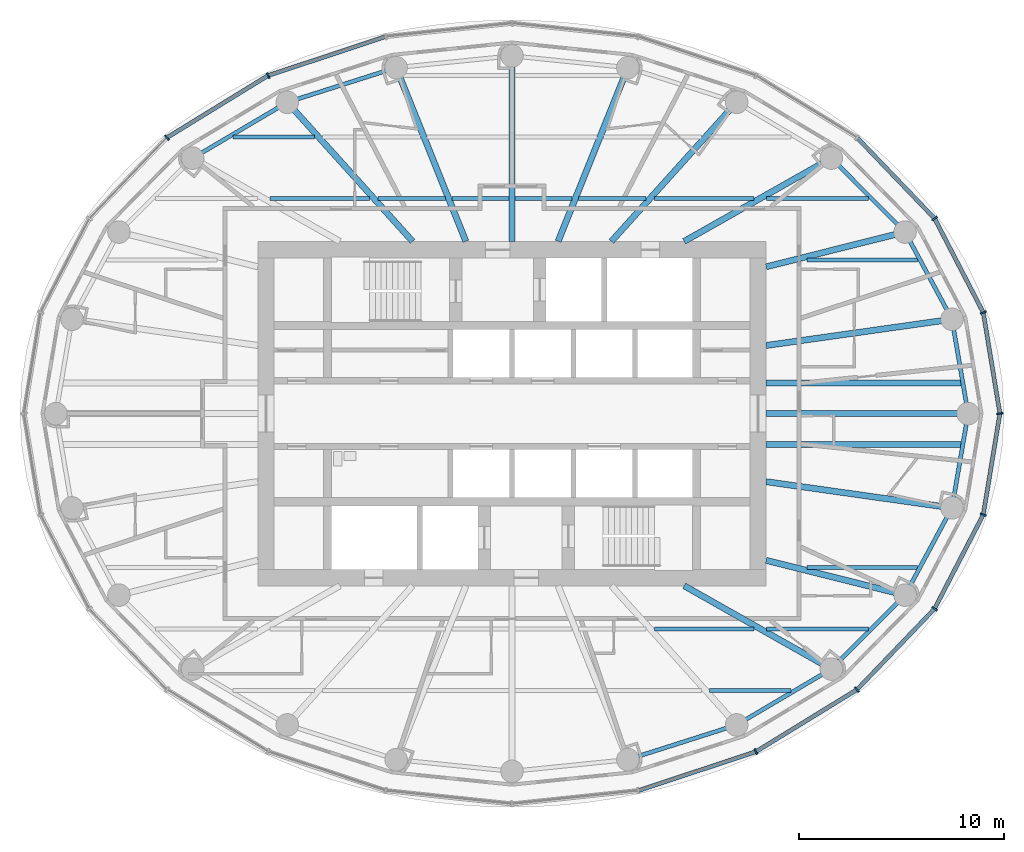
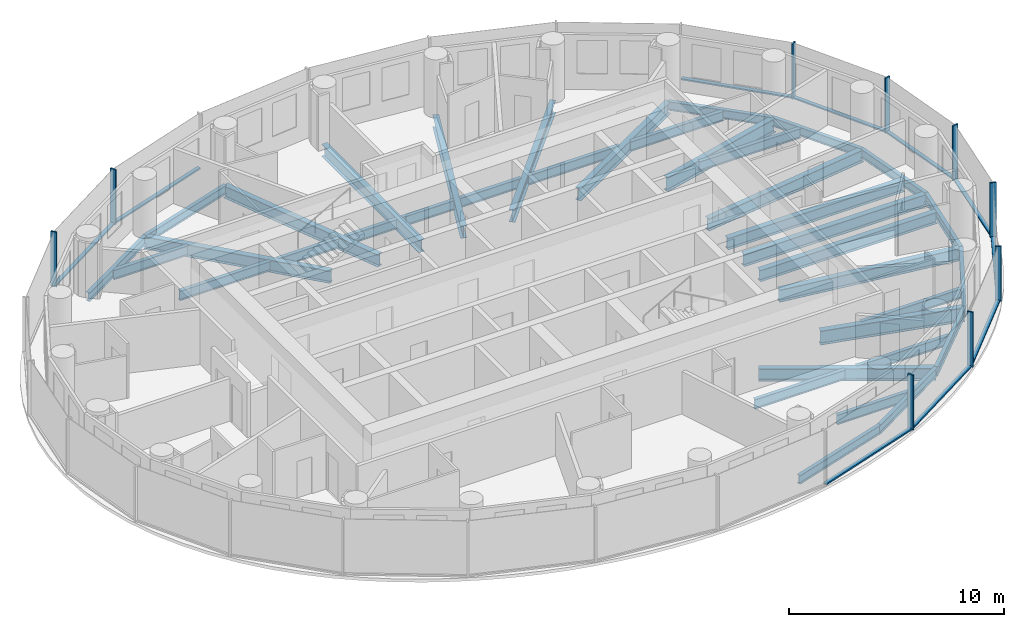
# One storey, part 3 of 16: 37 beams, 19 members, 3 elements without a shape of their own.
"""IFC4 building model written with IfcOpenShell, lengths in metres."""

import ifcopenshell
import ifcopenshell.guid

model = None  # the IFC model being written
_history = None  # IfcOwnerHistory: only IFC2X3 demands one
_inside = {}  # id of a spatial element -> (the spatial element, [elements in it])
_under = {}  # id of a project, library or spatial element -> (it, [spatial elements below it])
_declared = {}  # id of a project -> (the project, [libraries it declares])
_typed = {}  # id of a type object -> (the type object, [elements of that type])
_made_of = {}  # id of a material, layer set ... -> (it, [elements and type objects made of it])


def new_model(schema):
    """Start an empty IFC model of exactly this schema.

    Asked for "IFC4X3", IfcOpenShell would pick the latest addendum, in which some entities
    have other attributes; the version numbers below select the first issue.
    IFC2X3 requires an IfcOwnerHistory on every rooted entity: one is made here for all.
    """
    global model, _history
    if schema == "IFC4X3":
        model = ifcopenshell.file(schema_version=(4, 3, 0, 0))
    else:
        model = ifcopenshell.file(schema=schema)
    _inside.clear()
    _under.clear()
    _declared.clear()
    _typed.clear()
    _made_of.clear()
    _history = None
    if model.schema == "IFC2X3":
        org = make("IfcOrganization", Name="unknown")
        user = make(
            "IfcPersonAndOrganization",
            ThePerson=make("IfcPerson", FamilyName="unknown"),
            TheOrganization=org,
        )
        app = make(
            "IfcApplication",
            ApplicationDeveloper=org,
            Version="unknown",
            ApplicationFullName="unknown",
            ApplicationIdentifier="unknown",
        )
        _history = make(
            "IfcOwnerHistory",
            OwningUser=user,
            OwningApplication=app,
            ChangeAction="ADDED",
            CreationDate=0,
        )
    return model


def make(cls, **values):
    """One entity of the class cls with the attributes given. An attribute that is None is left unset."""
    return model.create_entity(
        cls, **{name: value for name, value in values.items() if value is not None}
    )


def rooted(cls, **values):
    """An entity with a GlobalId (a new one), such as an element, a storey or a relation."""
    return make(cls, GlobalId=ifcopenshell.guid.new(), OwnerHistory=_history, **values)


def si_unit(unit_type, name, prefix=None):
    """IfcSIUnit, for example si_unit("LENGTHUNIT", "METRE", prefix="MILLI")."""
    return make("IfcSIUnit", UnitType=unit_type, Prefix=prefix, Name=name)


def assignment(units):
    """IfcUnitAssignment: the units of a project."""
    return None if units is None else make("IfcUnitAssignment", Units=units)


def point(xyz):
    """IfcCartesianPoint."""
    return None if xyz is None else make("IfcCartesianPoint", Coordinates=xyz)


def direction(xyz):
    """IfcDirection."""
    return None if xyz is None else make("IfcDirection", DirectionRatios=xyz)


def frame(location, z_axis=None, x_axis=None):
    """IfcAxis2Placement3D, a coordinate frame: its origin and axes. An axis left out is left unset."""
    return make(
        "IfcAxis2Placement3D",
        Location=point(location),
        Axis=direction(z_axis),
        RefDirection=direction(x_axis),
    )


def frame_2d(location, x_axis=None):
    """IfcAxis2Placement2D, a coordinate frame in the plane: its origin and x axis."""
    return make(
        "IfcAxis2Placement2D", Location=point(location), RefDirection=direction(x_axis)
    )


def origin():
    """The frame at (0, 0, 0) with its axes left unset."""
    return frame((0.0, 0.0, 0.0))


def origin_2d():
    """The frame at (0, 0) in the plane with its x axis left unset."""
    return frame_2d((0.0, 0.0))


def place(relative_to, where):
    """IfcLocalPlacement: puts the frame where relative to a parent placement (None: the world)."""
    return make(
        "IfcLocalPlacement", PlacementRelTo=relative_to, RelativePlacement=where
    )


def context(
    kind, dimensions, precision=None, world=None, true_north=None, identifier=None
):
    """IfcGeometricRepresentationContext, for example the 3D "Model" context."""
    return make(
        "IfcGeometricRepresentationContext",
        ContextIdentifier=identifier,
        ContextType=kind,
        CoordinateSpaceDimension=dimensions,
        Precision=precision,
        WorldCoordinateSystem=world,
        TrueNorth=true_north,
    )


def subcontext(parent, identifier, kind, view, scale=None):
    """IfcGeometricRepresentationSubContext, for example "Body" below "Model"."""
    return make(
        "IfcGeometricRepresentationSubContext",
        ContextIdentifier=identifier,
        ContextType=kind,
        ParentContext=parent,
        TargetScale=scale,
        TargetView=view,
    )


def project(units=None, contexts=None):
    """IfcProject with its units and contexts."""
    return rooted(
        "IfcProject",
        Name="project",
        RepresentationContexts=contexts,
        UnitsInContext=assignment(units),
    )


def spatial(cls, under=None, at=None, **own):
    """A site, building, storey or space (cls), placed at a placement, below another one or the project."""
    s = rooted(cls, ObjectPlacement=at, **own)
    if under is not None:
        _under.setdefault(under.id(), (under, []))[1].append(s)
    return s


def profile(cls, at=None, kind="AREA", **sizes):
    """A parametric profile (cls). Its sizes go by their IFC names, for example OverallWidth=200.0."""
    return make(cls, ProfileType=kind, Position=at, **sizes)


def rectangle(**sizes):
    """IfcRectangleProfileDef."""
    return profile("IfcRectangleProfileDef", **sizes)


def i_section(**sizes):
    """IfcIShapeProfileDef."""
    return profile("IfcIShapeProfileDef", **sizes)


def extrude(swept, where, along, depth):
    """IfcExtrudedAreaSolid: the profile swept, set in the frame where, extruded along a direction by depth."""
    return make(
        "IfcExtrudedAreaSolid",
        SweptArea=swept,
        Position=where,
        ExtrudedDirection=direction(along),
        Depth=depth,
    )


def shape(context_of_items, identifier, shape_type, items):
    """IfcShapeRepresentation: the items that make up one representation, for example the "Body"."""
    return make(
        "IfcShapeRepresentation",
        ContextOfItems=context_of_items,
        RepresentationIdentifier=identifier,
        RepresentationType=shape_type,
        Items=items,
    )


def material(Name=None, Category=None):
    """IfcMaterial."""
    return make("IfcMaterial", Name=Name, Category=Category)


def material_profile(
    of_material, cross_section, Name=None, Category=None, Priority=None
):
    """IfcMaterialProfile: a cross section and its material."""
    return make(
        "IfcMaterialProfile",
        Name=Name,
        Material=of_material,
        Profile=cross_section,
        Priority=Priority,
        Category=Category,
    )


def profile_set(profiles, Name=None, composite=None):
    """IfcMaterialProfileSet."""
    return make(
        "IfcMaterialProfileSet",
        Name=Name,
        MaterialProfiles=profiles,
        CompositeProfile=composite,
    )


def made_of(thing, what):
    """Note that an element or type object is made of a material, layer set ...; save() writes the relation."""
    if what is not None:
        _made_of.setdefault(what.id(), (what, []))[1].append(thing)
    return thing


def type_object(cls, material=None, **own):
    """A type object (cls), such as IfcWallType, which elements share."""
    return made_of(rooted(cls, **own), material)


def element(
    cls,
    number,
    at=None,
    inside=None,
    cuts=None,
    type_object=None,
    material=None,
    context=None,
    identifier="Body",
    shape_type=None,
    held_by="IfcProductDefinitionShape",
    body=None,
    shapes=None,
    **own,
):
    """One element of the class cls, such as IfcWall. Its Tag is "e" and its number.

    at: its placement. inside: the storey or other place that contains it. cuts: it is an
    opening in that element (IfcRelVoidsElement). A single representation is given by context,
    identifier, shape_type and body (its items); several are given by shapes. held_by: the class
    of the entity that holds the representations. save() writes the other relations.
    """
    e = rooted(cls, Tag="e%d" % number, ObjectPlacement=at, **own)
    if body is not None:
        shapes = [shape(context, identifier, shape_type, body)]
    if shapes is not None:
        e.Representation = make(held_by, Representations=shapes)
    if inside is not None:
        _inside.setdefault(inside.id(), (inside, []))[1].append(e)
    if cuts is not None:
        rooted(
            "IfcRelVoidsElement", RelatingBuildingElement=cuts, RelatedOpeningElement=e
        )
    if type_object is not None:
        _typed.setdefault(type_object.id(), (type_object, []))[1].append(e)
    return made_of(e, material)


def aggregate(whole, parts):
    """IfcRelAggregates: a whole, such as a stair, and the parts it consists of."""
    return rooted("IfcRelAggregates", RelatingObject=whole, RelatedObjects=parts)


def save(model, path):
    """Write the relations noted so far, then the file.

    IfcRelAggregates (storeys below a building ...), IfcRelContainedInSpatialStructure (elements
    in a storey), IfcRelDefinesByType, IfcRelAssociatesMaterial and IfcRelDeclares: one each for
    every whole, place, type object, material and project.
    """
    for whole, parts in _under.values():
        aggregate(whole, parts)
    for where, things in _inside.values():
        rooted(
            "IfcRelContainedInSpatialStructure",
            RelatedElements=things,
            RelatingStructure=where,
        )
    for kind, things in _typed.values():
        rooted("IfcRelDefinesByType", RelatedObjects=things, RelatingType=kind)
    for what, things in _made_of.values():
        rooted("IfcRelAssociatesMaterial", RelatedObjects=things, RelatingMaterial=what)
    for by, libraries in _declared.values():
        rooted("IfcRelDeclares", RelatingContext=by, RelatedDefinitions=libraries)
    model.write(path)


model = new_model("IFC4")

# Units and contexts
model_context = context("Model", 3, precision=1e-05, world=origin(), true_north=direction((0.0, 1.0)))
body_context = subcontext(model_context, "Body", "Model", "MODEL_VIEW")
ifc_project = project(units=[si_unit("LENGTHUNIT", "METRE"), si_unit("AREAUNIT", "SQUARE_METRE"), si_unit("VOLUMEUNIT", "CUBIC_METRE"), si_unit("PLANEANGLEUNIT", "RADIAN"), si_unit("MASSUNIT", "GRAM", prefix="KILO")], contexts=[model_context])

# Site, building, storey
site_placement = place(None, origin())
site = spatial("IfcSite", under=ifc_project, at=site_placement, CompositionType="ELEMENT")
building_placement = place(site_placement, origin())
building = spatial("IfcBuilding", under=site, at=building_placement, Name="Hankou Lantern Tower", CompositionType="ELEMENT")
storey_placement = place(building_placement, frame((0.0, 0.0, 169.800048828125)))
storey = spatial("IfcBuildingStorey", under=building, at=storey_placement, Name="L45", CompositionType="ELEMENT", Elevation=169.800048828125)

# Beams
ifc_material_1 = material(Name="Steel Q355B", Category="steel")
ifc_material_profile_1 = material_profile(ifc_material_1, i_section(OverallWidth=0.199951171875, OverallDepth=0.5, WebThickness=0.010009765625, FlangeThickness=0.01611328125, FilletRadius=0.012939453125, at=origin_2d()), Name="HN500x200x10x16")
ifc_profile_set_1 = profile_set([ifc_material_profile_1], Name="Steel Q355B")
beam_type_1 = type_object("IfcBeamType", Name="EB5 RING BEAM HN500x200x10x16", PredefinedType="SPANDREL", material=ifc_profile_set_1)
beam_1_placement = place(storey_placement, frame((22.25, 0.0, -0.429931640625), z_axis=(-0.168680718946, 0.985670743735, 0.0), x_axis=(-0.985670743735, -0.168680718946, 0.0)))
element("IfcBeam", 1, at=beam_1_placement, inside=storey, type_object=beam_type_1, Name="Ring beam R01-R02 L45", PredefinedType="SPANDREL", context=body_context, shape_type="SweptSolid", body=[
    extrude(i_section(OverallWidth=0.199951171875, OverallDepth=0.5, WebThickness=0.010009765625, FlangeThickness=0.01611328125, FilletRadius=0.012939453125, at=origin_2d()), origin(), (0.0, 0.0, 1.0), 4.667724609375),
])
beam_2_placement = place(storey_placement, frame((21.462646484375, 4.600830078125, -0.429931640625), z_axis=(-0.474051612334, 0.880497057828, 0.0), x_axis=(-0.880497057828, -0.474051612334, 0.0)))
element("IfcBeam", 2, at=beam_2_placement, inside=storey, type_object=beam_type_1, Name="Ring beam R02-R03 L45", PredefinedType="SPANDREL", context=body_context, shape_type="SweptSolid", body=[
    extrude(i_section(OverallWidth=0.199951171875, OverallDepth=0.5, WebThickness=0.010009765625, FlangeThickness=0.01611328125, FilletRadius=0.012939453125, at=origin_2d()), origin(), (0.0, 0.0, 1.0), 4.831787109375),
])
beam_3_placement = place(storey_placement, frame((19.172119140625, 8.855224609375, -0.429931640625), z_axis=(-0.706147278092, 0.708064984054, 0.0), x_axis=(-0.708064984054, -0.706147278092, 0.0)))
element("IfcBeam", 3, at=beam_3_placement, inside=storey, type_object=beam_type_1, Name="Ring beam R03-R04 L45", PredefinedType="SPANDREL", context=body_context, shape_type="SweptSolid", body=[
    extrude(i_section(OverallWidth=0.199951171875, OverallDepth=0.5, WebThickness=0.010009765625, FlangeThickness=0.01611328125, FilletRadius=0.012939453125, at=origin_2d()), origin(), (0.0, 0.0, 1.0), 5.09228515625),
])
beam_4_placement = place(storey_placement, frame((-5.65283203125, 16.87744140625, -0.429931640625), z_axis=(-0.952790404271, -0.30362879562, 0.0), x_axis=(0.30362879562, -0.952790404271, 0.0)))
element("IfcBeam", 4, at=beam_4_placement, inside=storey, type_object=beam_type_1, Name="Ring beam R08-R09 L45", PredefinedType="SPANDREL", context=body_context, shape_type="SweptSolid", body=[
    extrude(i_section(OverallWidth=0.199951171875, OverallDepth=0.5, WebThickness=0.010009765625, FlangeThickness=0.01611328125, FilletRadius=0.012939453125, at=origin_2d()), origin(), (0.0, 0.0, 1.0), 5.56982421875),
])
beam_5_placement = place(storey_placement, frame((-10.959716796875, 15.186279296875, -0.429931640625), z_axis=(-0.861135888339, -0.508374843806, 0.0), x_axis=(0.508374843806, -0.861135888339, 0.0)))
element("IfcBeam", 5, at=beam_5_placement, inside=storey, type_object=beam_type_1, Name="Ring beam R09-R10 L45", PredefinedType="SPANDREL", context=body_context, shape_type="SweptSolid", body=[
    extrude(i_section(OverallWidth=0.199951171875, OverallDepth=0.5, WebThickness=0.010009765625, FlangeThickness=0.01611328125, FilletRadius=0.012939453125, at=origin_2d()), origin(), (0.0, 0.0, 1.0), 5.36083984375),
])
beam_6_placement = place(storey_placement, frame((5.65283203125, -16.87744140625, -0.429931640625), z_axis=(0.952790404271, 0.30362879562, 0.0), x_axis=(-0.30362879562, 0.952790404271, 0.0)))
element("IfcBeam", 6, at=beam_6_placement, inside=storey, type_object=beam_type_1, Name="Ring beam R20-R21 L45", PredefinedType="SPANDREL", context=body_context, shape_type="SweptSolid", body=[
    extrude(i_section(OverallWidth=0.199951171875, OverallDepth=0.5, WebThickness=0.010009765625, FlangeThickness=0.01611328125, FilletRadius=0.012939453125, at=origin_2d()), origin(), (0.0, 0.0, 1.0), 5.56982421875),
])
beam_7_placement = place(storey_placement, frame((10.959716796875, -15.186279296875, -0.429931640625), z_axis=(0.861135888339, 0.508374843806, 0.0), x_axis=(-0.508374843806, 0.861135888339, 0.0)))
element("IfcBeam", 7, at=beam_7_placement, inside=storey, type_object=beam_type_1, Name="Ring beam R21-R22 L45", PredefinedType="SPANDREL", context=body_context, shape_type="SweptSolid", body=[
    extrude(i_section(OverallWidth=0.199951171875, OverallDepth=0.5, WebThickness=0.010009765625, FlangeThickness=0.01611328125, FilletRadius=0.012939453125, at=origin_2d()), origin(), (0.0, 0.0, 1.0), 5.36083984375),
])
beam_8_placement = place(storey_placement, frame((15.576171875, -12.4609375, -0.429931640625), z_axis=(0.706147278092, 0.708064984054, 0.0), x_axis=(-0.708064984054, 0.706147278092, 0.0)))
element("IfcBeam", 8, at=beam_8_placement, inside=storey, type_object=beam_type_1, Name="Ring beam R22-R23 L45", PredefinedType="SPANDREL", context=body_context, shape_type="SweptSolid", body=[
    extrude(i_section(OverallWidth=0.199951171875, OverallDepth=0.5, WebThickness=0.010009765625, FlangeThickness=0.01611328125, FilletRadius=0.012939453125, at=origin_2d()), origin(), (0.0, 0.0, 1.0), 5.09228515625),
])
beam_9_placement = place(storey_placement, frame((19.172119140625, -8.855224609375, -0.429931640625), z_axis=(0.474051612334, 0.880497057828, 0.0), x_axis=(-0.880497057828, 0.474051612334, 0.0)))
element("IfcBeam", 9, at=beam_9_placement, inside=storey, type_object=beam_type_1, Name="Ring beam R23-R24 L45", PredefinedType="SPANDREL", context=body_context, shape_type="SweptSolid", body=[
    extrude(i_section(OverallWidth=0.199951171875, OverallDepth=0.5, WebThickness=0.010009765625, FlangeThickness=0.01611328125, FilletRadius=0.012939453125, at=origin_2d()), origin(), (0.0, 0.0, 1.0), 4.831787109375),
])
beam_10_placement = place(storey_placement, frame((21.462646484375, -4.600830078125, -0.429931640625), z_axis=(0.168680718946, 0.985670743735, 0.0), x_axis=(-0.985670743735, 0.168680718946, 0.0)))
element("IfcBeam", 10, at=beam_10_placement, inside=storey, type_object=beam_type_1, Name="Ring beam R24-R01 L45", PredefinedType="SPANDREL", context=body_context, shape_type="SweptSolid", body=[
    extrude(i_section(OverallWidth=0.199951171875, OverallDepth=0.5, WebThickness=0.010009765625, FlangeThickness=0.01611328125, FilletRadius=0.012939453125, at=origin_2d()), origin(), (0.0, 0.0, 1.0), 4.667724609375),
])

# Curtain wall, members
ifc_material_2 = material(Name="Glass, dark grey tinted laminated", Category="glass")
curtain_wall_type = type_object("IfcCurtainWallType", Name="CWC OUTER SKIN HIGH-RISE", PredefinedType="USERDEFINED", material=ifc_material_2)
curtain_wall_1_placement = place(storey_placement, origin())
curtain_wall_1 = element("IfcCurtainWall", 11, at=curtain_wall_1_placement, inside=storey, type_object=curtain_wall_type, Name="CWC L45 OS1", ObjectType="OUTER SKIN HIGH-RISE", PredefinedType="USERDEFINED")
ifc_material_3 = material(Name="Aluminium, black anodised", Category="aluminium")
ifc_material_profile_2 = material_profile(ifc_material_3, rectangle(XDim=0.080078125, YDim=0.300048828125, at=origin_2d()), Name="MU1 80X300")
ifc_profile_set_2 = profile_set([ifc_material_profile_2], Name="Aluminium, black anodised")
member_type_1 = type_object("IfcMemberType", Name="MU1 OUTER SKIN MULLION 80X300", PredefinedType="MULLION", material=ifc_profile_set_2)
member_1_placement = place(storey_placement, frame((23.800048828125, 0.0, 0.0), z_axis=(0.0, 0.0, 1.0), x_axis=(-0.162381515188, 0.986728049427, 0.0)))
member_1 = element("IfcMember", 12, at=member_1_placement, type_object=member_type_1, Name="CWC mullion 1", PredefinedType="MULLION", context=body_context, shape_type="SweptSolid", body=[
    extrude(rectangle(XDim=0.080078125, YDim=0.300048828125, at=origin_2d()), origin(), (0.0, 0.0, 1.0), 3.119873046875),
])
member_2_placement = place(storey_placement, frame((22.989013671875, 4.927978515625, 0.0), z_axis=(0.0, 0.0, 1.0), x_axis=(-0.317595577365, 0.94822626479, 0.0)))
member_2 = element("IfcMember", 13, at=member_2_placement, type_object=member_type_1, Name="CWC mullion 2", PredefinedType="MULLION", context=body_context, shape_type="SweptSolid", body=[
    extrude(rectangle(XDim=0.080078125, YDim=0.300048828125, at=origin_2d()), origin(), (0.0, 0.0, 1.0), 3.119873046875),
])
member_3_placement = place(storey_placement, frame((20.611328125, 9.52001953125, 0.0), z_axis=(0.0, 0.0, 1.0), x_axis=(-0.585205735974, 0.810884854084, 0.0)))
member_3 = element("IfcMember", 14, at=member_3_placement, type_object=member_type_1, Name="CWC mullion 3", PredefinedType="MULLION", context=body_context, shape_type="SweptSolid", body=[
    extrude(rectangle(XDim=0.080078125, YDim=0.300048828125, at=origin_2d()), origin(), (0.0, 0.0, 1.0), 3.119873046875),
])

curtain_wall_2_placement = place(storey_placement, origin())
curtain_wall_2 = element("IfcCurtainWall", 15, at=curtain_wall_2_placement, inside=storey, type_object=curtain_wall_type, Name="CWC L45 OS2", ObjectType="OUTER SKIN HIGH-RISE", PredefinedType="USERDEFINED")
member_4_placement = place(storey_placement, frame((-11.89990234375, 16.489013671875, 0.0), z_axis=(0.0, 0.0, 1.0), x_axis=(-0.907841299004, -0.419313934686, 0.0)))
member_4 = element("IfcMember", 16, at=member_4_placement, type_object=member_type_1, Name="CWC mullion 3", PredefinedType="MULLION", context=body_context, shape_type="SweptSolid", body=[
    extrude(rectangle(XDim=0.080078125, YDim=0.300048828125, at=origin_2d()), origin(), (0.0, 0.0, 1.0), 3.119873046875),
])
member_5_placement = place(storey_placement, frame((-16.8291015625, 13.46337890625, 0.0), z_axis=(0.0, 0.0, 1.0), x_axis=(-0.780868809444, -0.624695047553, 0.0)))
member_5 = element("IfcMember", 17, at=member_5_placement, type_object=member_type_1, Name="CWC mullion 4", PredefinedType="MULLION", context=body_context, shape_type="SweptSolid", body=[
    extrude(rectangle(XDim=0.080078125, YDim=0.300048828125, at=origin_2d()), origin(), (0.0, 0.0, 1.0), 3.119873046875),
])

curtain_wall_3_placement = place(storey_placement, origin())
curtain_wall_3 = element("IfcCurtainWall", 18, at=curtain_wall_3_placement, inside=storey, type_object=curtain_wall_type, Name="CWC L45 OS4", ObjectType="OUTER SKIN HIGH-RISE", PredefinedType="USERDEFINED")
member_6_placement = place(storey_placement, frame((11.89990234375, -16.489013671875, 0.0), z_axis=(0.0, 0.0, 1.0), x_axis=(0.907841299004, 0.419313934686, 0.0)))
member_6 = element("IfcMember", 19, at=member_6_placement, type_object=member_type_1, Name="CWC mullion 3", PredefinedType="MULLION", context=body_context, shape_type="SweptSolid", body=[
    extrude(rectangle(XDim=0.080078125, YDim=0.300048828125, at=origin_2d()), origin(), (0.0, 0.0, 1.0), 3.119873046875),
])
member_7_placement = place(storey_placement, frame((16.8291015625, -13.46337890625, 0.0), z_axis=(0.0, 0.0, 1.0), x_axis=(0.780868809444, 0.624695047553, 0.0)))
member_7 = element("IfcMember", 20, at=member_7_placement, type_object=member_type_1, Name="CWC mullion 4", PredefinedType="MULLION", context=body_context, shape_type="SweptSolid", body=[
    extrude(rectangle(XDim=0.080078125, YDim=0.300048828125, at=origin_2d()), origin(), (0.0, 0.0, 1.0), 3.119873046875),
])
member_8_placement = place(storey_placement, frame((20.611328125, -9.52001953125, 0.0), z_axis=(0.0, 0.0, 1.0), x_axis=(0.585205735974, 0.810884854084, 0.0)))
member_8 = element("IfcMember", 21, at=member_8_placement, type_object=member_type_1, Name="CWC mullion 5", PredefinedType="MULLION", context=body_context, shape_type="SweptSolid", body=[
    extrude(rectangle(XDim=0.080078125, YDim=0.300048828125, at=origin_2d()), origin(), (0.0, 0.0, 1.0), 3.119873046875),
])
member_9_placement = place(storey_placement, frame((22.989013671875, -4.927978515625, 0.0), z_axis=(0.0, 0.0, 1.0), x_axis=(0.317595577365, 0.94822626479, 0.0)))
member_9 = element("IfcMember", 22, at=member_9_placement, type_object=member_type_1, Name="CWC mullion 6", PredefinedType="MULLION", context=body_context, shape_type="SweptSolid", body=[
    extrude(rectangle(XDim=0.080078125, YDim=0.300048828125, at=origin_2d()), origin(), (0.0, 0.0, 1.0), 3.119873046875),
])

# Beams
ifc_material_4 = material(Name="Steel Q355B", Category="steel")
ifc_material_profile_3 = material_profile(ifc_material_4, i_section(OverallWidth=0.300048828125, OverallDepth=0.800048828125, WebThickness=0.013916015625, FlangeThickness=0.02587890625, FilletRadius=0.01806640625, at=origin_2d()), Name="HN800x300x14x26")
ifc_profile_set_3 = profile_set([ifc_material_profile_3], Name="Steel Q355B")
beam_type_2 = type_object("IfcBeamType", Name="RB11 RADIAL BEAM HN800x300x14x26", PredefinedType="BEAM", material=ifc_profile_set_3)
for number, where, z_axis, x_axis, name in (
    (23, (12.39990234375, 7.1591796875, -0.580078125), (0.970041619568, 0.242938791274, 0.0), (-0.242938791274, 0.970041619568, 0.0), "Radial beam R03 L45"),
    (24, (12.39990234375, -7.1591796875, -0.580078125), (0.970041619568, -0.242938791274, 0.0), (0.242938791274, 0.970041619568, 0.0), "Radial beam R23 L45"),
):
    element("IfcBeam", number, at=place(storey_placement, frame(where, z_axis=z_axis, x_axis=x_axis)), inside=storey, type_object=beam_type_2, Name=name, PredefinedType="BEAM", context=body_context, shape_type="SweptSolid", body=[
        extrude(i_section(OverallWidth=0.300048828125, OverallDepth=0.800048828125, WebThickness=0.013916015625, FlangeThickness=0.02587890625, FilletRadius=0.01806640625, at=origin_2d()), origin(), (0.0, 0.0, 1.0), 6.9814453125),
    ])
ifc_material_5 = material(Name="Steel Q355B", Category="steel")
ifc_material_profile_4 = material_profile(ifc_material_5, i_section(OverallWidth=0.300048828125, OverallDepth=0.699951171875, WebThickness=0.012939453125, FlangeThickness=0.02392578125, FilletRadius=0.01806640625, at=origin_2d()), Name="HN700x300x13x24")
ifc_profile_set_4 = profile_set([ifc_material_profile_4], Name="Steel Q355B")
beam_type_3 = type_object("IfcBeamType", Name="RB9 RADIAL BEAM HN700x300x13x24", PredefinedType="BEAM", material=ifc_profile_set_4)
beam_11_placement = place(storey_placement, frame((12.39990234375, 0.0, -0.530029296875), z_axis=(1.0, 0.0, 0.0), x_axis=(0.0, 1.0, 0.0)))
element("IfcBeam", 25, at=beam_11_placement, inside=storey, type_object=beam_type_3, Name="Radial beam R01 L45", PredefinedType="BEAM", context=body_context, shape_type="SweptSolid", body=[
    extrude(i_section(OverallWidth=0.300048828125, OverallDepth=0.699951171875, WebThickness=0.012939453125, FlangeThickness=0.02392578125, FilletRadius=0.01806640625, at=origin_2d()), origin(), (0.0, 0.0, 1.0), 9.85009765625),
])
beam_12_placement = place(storey_placement, frame((12.39990234375, 3.322509765625, -0.530029296875), z_axis=(0.990198154617, 0.13966966239, 0.0), x_axis=(-0.13966966239, 0.990198154617, 0.0)))
element("IfcBeam", 26, at=beam_12_placement, inside=storey, type_object=beam_type_3, Name="Radial beam R02 L45", PredefinedType="BEAM", context=body_context, shape_type="SweptSolid", body=[
    extrude(i_section(OverallWidth=0.300048828125, OverallDepth=0.699951171875, WebThickness=0.012939453125, FlangeThickness=0.02392578125, FilletRadius=0.01806640625, at=origin_2d()), origin(), (0.0, 0.0, 1.0), 9.15234375),
])
beam_13_placement = place(storey_placement, frame((8.39990234375, 8.39990234375, -0.530029296875), z_axis=(0.870309058024, 0.492505983234, 0.0), x_axis=(-0.492505983234, 0.870309058024, 0.0)))
element("IfcBeam", 27, at=beam_13_placement, inside=storey, type_object=beam_type_3, Name="Radial beam R04 L45", PredefinedType="BEAM", context=body_context, shape_type="SweptSolid", body=[
    extrude(i_section(OverallWidth=0.300048828125, OverallDepth=0.699951171875, WebThickness=0.012939453125, FlangeThickness=0.02392578125, FilletRadius=0.01806640625, at=origin_2d()), origin(), (0.0, 0.0, 1.0), 8.24560546875),
])
beam_14_placement = place(storey_placement, frame((4.849853515625, 8.39990234375, -0.530029296875), z_axis=(0.669093231314, 0.743178476418, 0.0), x_axis=(-0.743178476418, 0.669093231314, 0.0)))
element("IfcBeam", 28, at=beam_14_placement, inside=storey, type_object=beam_type_3, Name="Radial beam R05 L45", PredefinedType="BEAM", context=body_context, shape_type="SweptSolid", body=[
    extrude(i_section(OverallWidth=0.300048828125, OverallDepth=0.699951171875, WebThickness=0.012939453125, FlangeThickness=0.02392578125, FilletRadius=0.01806640625, at=origin_2d()), origin(), (0.0, 0.0, 1.0), 9.131591796875),
])
beam_15_placement = place(storey_placement, frame((2.250732421875, 8.39990234375, -0.530029296875), z_axis=(0.372436468133, 0.928057690666, 0.0), x_axis=(-0.928057690666, 0.372436468133, 0.0)))
element("IfcBeam", 29, at=beam_15_placement, inside=storey, type_object=beam_type_3, Name="Radial beam R06 L45", PredefinedType="BEAM", context=body_context, shape_type="SweptSolid", body=[
    extrude(i_section(OverallWidth=0.300048828125, OverallDepth=0.699951171875, WebThickness=0.012939453125, FlangeThickness=0.02392578125, FilletRadius=0.01806640625, at=origin_2d()), origin(), (0.0, 0.0, 1.0), 9.134765625),
])
beam_16_placement = place(storey_placement, frame((0.0, 8.39990234375, -0.530029296875), z_axis=(0.0, 1.0, 0.0), x_axis=(-1.0, 0.0, 0.0)))
element("IfcBeam", 30, at=beam_16_placement, inside=storey, type_object=beam_type_3, Name="Radial beam R07 L45", PredefinedType="BEAM", context=body_context, shape_type="SweptSolid", body=[
    extrude(i_section(OverallWidth=0.300048828125, OverallDepth=0.699951171875, WebThickness=0.012939453125, FlangeThickness=0.02392578125, FilletRadius=0.01806640625, at=origin_2d()), origin(), (0.0, 0.0, 1.0), 9.050048828125),
])
beam_17_placement = place(storey_placement, frame((-2.250732421875, 8.39990234375, -0.530029296875), z_axis=(-0.372436468133, 0.928057690666, 0.0), x_axis=(-0.928057690666, -0.372436468133, 0.0)))
element("IfcBeam", 31, at=beam_17_placement, inside=storey, type_object=beam_type_3, Name="Radial beam R08 L45", PredefinedType="BEAM", context=body_context, shape_type="SweptSolid", body=[
    extrude(i_section(OverallWidth=0.300048828125, OverallDepth=0.699951171875, WebThickness=0.012939453125, FlangeThickness=0.02392578125, FilletRadius=0.01806640625, at=origin_2d()), origin(), (0.0, 0.0, 1.0), 9.134765625),
])
beam_18_placement = place(storey_placement, frame((-4.849853515625, 8.39990234375, -0.530029296875), z_axis=(-0.669093231314, 0.743178476418, 0.0), x_axis=(-0.743178476418, -0.669093231314, 0.0)))
element("IfcBeam", 32, at=beam_18_placement, inside=storey, type_object=beam_type_3, Name="Radial beam R09 L45", PredefinedType="BEAM", context=body_context, shape_type="SweptSolid", body=[
    extrude(i_section(OverallWidth=0.300048828125, OverallDepth=0.699951171875, WebThickness=0.012939453125, FlangeThickness=0.02392578125, FilletRadius=0.01806640625, at=origin_2d()), origin(), (0.0, 0.0, 1.0), 9.131591796875),
])
beam_19_placement = place(storey_placement, frame((8.39990234375, -8.39990234375, -0.530029296875), z_axis=(0.870309058024, -0.492505983234, 0.0), x_axis=(0.492505983234, 0.870309058024, 0.0)))
element("IfcBeam", 33, at=beam_19_placement, inside=storey, type_object=beam_type_3, Name="Radial beam R22 L45", PredefinedType="BEAM", context=body_context, shape_type="SweptSolid", body=[
    extrude(i_section(OverallWidth=0.300048828125, OverallDepth=0.699951171875, WebThickness=0.012939453125, FlangeThickness=0.02392578125, FilletRadius=0.01806640625, at=origin_2d()), origin(), (0.0, 0.0, 1.0), 8.24560546875),
])
beam_20_placement = place(storey_placement, frame((12.39990234375, -3.322509765625, -0.530029296875), z_axis=(0.990198154617, -0.13966966239, 0.0), x_axis=(0.13966966239, 0.990198154617, 0.0)))
element("IfcBeam", 34, at=beam_20_placement, inside=storey, type_object=beam_type_3, Name="Radial beam R24 L45", PredefinedType="BEAM", context=body_context, shape_type="SweptSolid", body=[
    extrude(i_section(OverallWidth=0.300048828125, OverallDepth=0.699951171875, WebThickness=0.012939453125, FlangeThickness=0.02392578125, FilletRadius=0.01806640625, at=origin_2d()), origin(), (0.0, 0.0, 1.0), 9.15234375),
])
ifc_material_6 = material(Name="Steel Q355B", Category="steel")
ifc_material_profile_5 = material_profile(ifc_material_6, i_section(OverallWidth=0.199951171875, OverallDepth=0.550048828125, WebThickness=0.010009765625, FlangeThickness=0.01611328125, FilletRadius=0.012939453125, at=origin_2d()), Name="HN550x200x10x16")
ifc_profile_set_5 = profile_set([ifc_material_profile_5], Name="Steel Q355B")
beam_type_4 = type_object("IfcBeamType", Name="SB6 SECONDARY BEAM HN550x200x10x16", PredefinedType="JOIST", material=ifc_profile_set_5)
beam_21_placement = place(storey_placement, frame((9.643310546875, -13.5, -0.455078125), z_axis=(1.0, 0.0, 0.0), x_axis=(0.0, 1.0, 0.0)))
element("IfcBeam", 35, at=beam_21_placement, inside=storey, type_object=beam_type_4, Name="Floor joist J006 L45", PredefinedType="JOIST", context=body_context, shape_type="SweptSolid", body=[
    extrude(i_section(OverallWidth=0.199951171875, OverallDepth=0.550048828125, WebThickness=0.010009765625, FlangeThickness=0.01611328125, FilletRadius=0.012939453125, at=origin_2d()), origin(), (0.0, 0.0, 1.0), 3.97607421875),
])
beam_22_placement = place(storey_placement, frame((6.9423828125, -10.5, -0.455078125), z_axis=(1.0, 0.0, 0.0), x_axis=(0.0, 1.0, 0.0)))
element("IfcBeam", 36, at=beam_22_placement, inside=storey, type_object=beam_type_4, Name="Floor joist J013 L45", PredefinedType="JOIST", context=body_context, shape_type="SweptSolid", body=[
    extrude(i_section(OverallWidth=0.199951171875, OverallDepth=0.550048828125, WebThickness=0.010009765625, FlangeThickness=0.01611328125, FilletRadius=0.012939453125, at=origin_2d()), origin(), (0.0, 0.0, 1.0), 4.864013671875),
])
beam_23_placement = place(storey_placement, frame((12.41552734375, -10.5, -0.455078125), z_axis=(1.0, 0.0, 0.0), x_axis=(0.0, 1.0, 0.0)))
element("IfcBeam", 37, at=beam_23_placement, inside=storey, type_object=beam_type_4, Name="Floor joist J014 L45", PredefinedType="JOIST", context=body_context, shape_type="SweptSolid", body=[
    extrude(i_section(OverallWidth=0.199951171875, OverallDepth=0.550048828125, WebThickness=0.010009765625, FlangeThickness=0.01611328125, FilletRadius=0.012939453125, at=origin_2d()), origin(), (0.0, 0.0, 1.0), 4.97509765625),
])
for number, where, z_axis, x_axis, name in (
    (38, (14.37841796875, -7.5, -0.455078125), (1.0, 0.0, 0.0), (0.0, 1.0, 0.0), "Floor joist J016 L45"),
    (39, (14.37841796875, 7.5, -0.455078125), (1.0, 0.0, 0.0), (0.0, 1.0, 0.0), "Floor joist J026 L45"),
):
    element("IfcBeam", number, at=place(storey_placement, frame(where, z_axis=z_axis, x_axis=x_axis)), inside=storey, type_object=beam_type_4, Name=name, PredefinedType="JOIST", context=body_context, shape_type="SweptSolid", body=[
        extrude(i_section(OverallWidth=0.199951171875, OverallDepth=0.550048828125, WebThickness=0.010009765625, FlangeThickness=0.01611328125, FilletRadius=0.012939453125, at=origin_2d()), origin(), (0.0, 0.0, 1.0), 5.409912109375),
    ])
beam_24_placement = place(storey_placement, frame((-11.806396484375, 10.5, -0.455078125), z_axis=(1.0, 0.0, 0.0), x_axis=(0.0, 1.0, 0.0)))
element("IfcBeam", 40, at=beam_24_placement, inside=storey, type_object=beam_type_4, Name="Floor joist J028 L45", PredefinedType="JOIST", context=body_context, shape_type="SweptSolid", body=[
    extrude(i_section(OverallWidth=0.199951171875, OverallDepth=0.550048828125, WebThickness=0.010009765625, FlangeThickness=0.01611328125, FilletRadius=0.012939453125, at=origin_2d()), origin(), (0.0, 0.0, 1.0), 4.864013671875),
])
beam_25_placement = place(storey_placement, frame((-6.53857421875, 10.5, -0.455078125), z_axis=(1.0, 0.0, 0.0), x_axis=(0.0, 1.0, 0.0)))
element("IfcBeam", 41, at=beam_25_placement, inside=storey, type_object=beam_type_4, Name="Floor joist J029 L45", PredefinedType="JOIST", context=body_context, shape_type="SweptSolid", body=[
    extrude(i_section(OverallWidth=0.199951171875, OverallDepth=0.550048828125, WebThickness=0.010009765625, FlangeThickness=0.01611328125, FilletRadius=0.012939453125, at=origin_2d()), origin(), (0.0, 0.0, 1.0), 3.283447265625),
])
for number, where, z_axis, x_axis, name in (
    (42, (-2.931884765625, 10.5, -0.455078125), (1.0, 0.0, 0.0), (0.0, 1.0, 0.0), "Floor joist J030 L45"),
    (43, (0.14990234375, 10.5, -0.455078125), (1.0, 0.0, 0.0), (0.0, 1.0, 0.0), "Floor joist J031 L45"),
):
    element("IfcBeam", number, at=place(storey_placement, frame(where, z_axis=z_axis, x_axis=x_axis)), inside=storey, type_object=beam_type_4, Name=name, PredefinedType="JOIST", context=body_context, shape_type="SweptSolid", body=[
        extrude(i_section(OverallWidth=0.199951171875, OverallDepth=0.550048828125, WebThickness=0.010009765625, FlangeThickness=0.01611328125, FilletRadius=0.012939453125, at=origin_2d()), origin(), (0.0, 0.0, 1.0), 2.781982421875),
    ])
beam_26_placement = place(storey_placement, frame((3.255126953125, 10.5, -0.455078125), z_axis=(1.0, 0.0, 0.0), x_axis=(0.0, 1.0, 0.0)))
element("IfcBeam", 44, at=beam_26_placement, inside=storey, type_object=beam_type_4, Name="Floor joist J032 L45", PredefinedType="JOIST", context=body_context, shape_type="SweptSolid", body=[
    extrude(i_section(OverallWidth=0.199951171875, OverallDepth=0.550048828125, WebThickness=0.010009765625, FlangeThickness=0.01611328125, FilletRadius=0.012939453125, at=origin_2d()), origin(), (0.0, 0.0, 1.0), 3.283447265625),
])
beam_27_placement = place(storey_placement, frame((6.9423828125, 10.5, -0.455078125), z_axis=(1.0, 0.0, 0.0), x_axis=(0.0, 1.0, 0.0)))
element("IfcBeam", 45, at=beam_27_placement, inside=storey, type_object=beam_type_4, Name="Floor joist J033 L45", PredefinedType="JOIST", context=body_context, shape_type="SweptSolid", body=[
    extrude(i_section(OverallWidth=0.199951171875, OverallDepth=0.550048828125, WebThickness=0.010009765625, FlangeThickness=0.01611328125, FilletRadius=0.012939453125, at=origin_2d()), origin(), (0.0, 0.0, 1.0), 4.864013671875),
])
beam_28_placement = place(storey_placement, frame((12.41552734375, 10.5, -0.455078125), z_axis=(1.0, 0.0, 0.0), x_axis=(0.0, 1.0, 0.0)))
element("IfcBeam", 46, at=beam_28_placement, inside=storey, type_object=beam_type_4, Name="Floor joist J034 L45", PredefinedType="JOIST", context=body_context, shape_type="SweptSolid", body=[
    extrude(i_section(OverallWidth=0.199951171875, OverallDepth=0.550048828125, WebThickness=0.010009765625, FlangeThickness=0.01611328125, FilletRadius=0.012939453125, at=origin_2d()), origin(), (0.0, 0.0, 1.0), 4.97509765625),
])
beam_29_placement = place(storey_placement, frame((-13.619384765625, 13.5, -0.455078125), z_axis=(1.0, 0.0, 0.0), x_axis=(0.0, 1.0, 0.0)))
element("IfcBeam", 47, at=beam_29_placement, inside=storey, type_object=beam_type_4, Name="Floor joist J035 L45", PredefinedType="JOIST", context=body_context, shape_type="SweptSolid", body=[
    extrude(i_section(OverallWidth=0.199951171875, OverallDepth=0.550048828125, WebThickness=0.010009765625, FlangeThickness=0.01611328125, FilletRadius=0.012939453125, at=origin_2d()), origin(), (0.0, 0.0, 1.0), 3.97607421875),
])
ifc_material_7 = material(Name="Steel Q355B", Category="steel")
ifc_material_profile_6 = material_profile(ifc_material_7, i_section(OverallWidth=0.300048828125, OverallDepth=0.64990234375, WebThickness=0.010986328125, FlangeThickness=0.01708984375, FilletRadius=0.01806640625, at=origin_2d()), Name="HN650x300x11x17")
ifc_profile_set_6 = profile_set([ifc_material_profile_6], Name="Steel Q355B")
beam_type_5 = type_object("IfcBeamType", Name="SB8 SECONDARY BEAM HN650x300x11x17", PredefinedType="JOIST", material=ifc_profile_set_6)
for number, where, z_axis, x_axis, name in (
    (48, (12.39990234375, -1.5, -0.505126953125), (1.0, 0.0, 0.0), (0.0, 1.0, 0.0), "Floor joist J020 L45"),
    (49, (12.39990234375, 1.5, -0.505126953125), (1.0, 0.0, 0.0), (0.0, 1.0, 0.0), "Floor joist J022 L45"),
):
    element("IfcBeam", number, at=place(storey_placement, frame(where, z_axis=z_axis, x_axis=x_axis)), inside=storey, type_object=beam_type_5, Name=name, PredefinedType="JOIST", context=body_context, shape_type="SweptSolid", body=[
        extrude(i_section(OverallWidth=0.300048828125, OverallDepth=0.64990234375, WebThickness=0.010986328125, FlangeThickness=0.01708984375, FilletRadius=0.01806640625, at=origin_2d()), origin(), (0.0, 0.0, 1.0), 9.491943359375),
    ])

# Member
ifc_material_8 = material(Name="Aluminium, black anodised", Category="aluminium")
ifc_material_profile_7 = material_profile(ifc_material_8, rectangle(XDim=0.199951171875, YDim=0.080078125, at=origin_2d()), Name="TR1 200X80")
ifc_profile_set_7 = profile_set([ifc_material_profile_7], Name="Aluminium, black anodised")
member_type_2 = type_object("IfcMemberType", Name="TR1 OUTER SKIN TRANSOM 200X80", PredefinedType="USERDEFINED", material=ifc_profile_set_7)
member_10_placement = place(storey_placement, frame((23.79345703125, 0.03955078125, 0.0400390625), z_axis=(-0.162360337061, 0.986731534385, 0.0), x_axis=(-0.986731534385, -0.162360337061, 0.0)))
member_10 = element("IfcMember", 50, at=member_10_placement, type_object=member_type_2, Name="CWC transom 1", ObjectType="TRANSOM", PredefinedType="USERDEFINED", context=body_context, shape_type="SweptSolid", body=[
    extrude(rectangle(XDim=0.199951171875, YDim=0.080078125, at=origin_2d()), origin(), (0.0, 0.0, 1.0), 4.9140625),
])

member_11_placement = place(storey_placement, frame((22.970703125, 4.96337890625, 0.0400390625), z_axis=(-0.459790772977, 0.888027277219, 0.0), x_axis=(-0.888027277219, -0.459790772977, 0.0)))
member_11 = element("IfcMember", 51, at=member_11_placement, type_object=member_type_2, Name="CWC transom 2", ObjectType="TRANSOM", PredefinedType="USERDEFINED", context=body_context, shape_type="SweptSolid", body=[
    extrude(rectangle(XDim=0.199951171875, YDim=0.080078125, at=origin_2d()), origin(), (0.0, 0.0, 1.0), 5.091064453125),
])

member_12_placement = place(storey_placement, frame((20.583740234375, 9.548828125, 0.0400390625), z_axis=(-0.692215543831, 0.721690820836, 0.0), x_axis=(-0.721690820836, -0.692215543831, 0.0)))
member_12 = element("IfcMember", 52, at=member_12_placement, type_object=member_type_2, Name="CWC transom 3", ObjectType="TRANSOM", PredefinedType="USERDEFINED", context=body_context, shape_type="SweptSolid", body=[
    extrude(rectangle(XDim=0.199951171875, YDim=0.080078125, at=origin_2d()), origin(), (0.0, 0.0, 1.0), 5.3837890625),
])

aggregate(curtain_wall_1, [member_1, member_2, member_3, member_10, member_11, member_12])

member_13_placement = place(storey_placement, frame((-6.19775390625, 18.378662109375, 0.0400390625), z_axis=(-0.949242327551, -0.314545709849, 0.0), x_axis=(0.314545709849, -0.949242327551, 0.0)))
member_13 = element("IfcMember", 53, at=member_13_placement, type_object=member_type_2, Name="CWC transom 2", ObjectType="TRANSOM", PredefinedType="USERDEFINED", context=body_context, shape_type="SweptSolid", body=[
    extrude(rectangle(XDim=0.199951171875, YDim=0.080078125, at=origin_2d()), origin(), (0.0, 0.0, 1.0), 5.96728515625),
])

member_14_placement = place(storey_placement, frame((-11.93408203125, 16.46826171875, 0.0400390625), z_axis=(-0.852229482357, -0.523168146394, 0.0), x_axis=(0.523168146394, -0.852229482357, 0.0)))
member_14 = element("IfcMember", 54, at=member_14_placement, type_object=member_type_2, Name="CWC transom 3", ObjectType="TRANSOM", PredefinedType="USERDEFINED", context=body_context, shape_type="SweptSolid", body=[
    extrude(rectangle(XDim=0.199951171875, YDim=0.080078125, at=origin_2d()), origin(), (0.0, 0.0, 1.0), 5.703857421875),
])

aggregate(curtain_wall_2, [member_4, member_5, member_13, member_14])

member_15_placement = place(storey_placement, frame((6.19775390625, -18.378662109375, 0.0400390625), z_axis=(0.949242327551, 0.314545709849, 0.0), x_axis=(-0.314545709849, 0.949242327551, 0.0)))
member_15 = element("IfcMember", 55, at=member_15_placement, type_object=member_type_2, Name="CWC transom 2", ObjectType="TRANSOM", PredefinedType="USERDEFINED", context=body_context, shape_type="SweptSolid", body=[
    extrude(rectangle(XDim=0.199951171875, YDim=0.080078125, at=origin_2d()), origin(), (0.0, 0.0, 1.0), 5.96728515625),
])

member_16_placement = place(storey_placement, frame((11.93408203125, -16.46826171875, 0.0400390625), z_axis=(0.852229482357, 0.523168146394, 0.0), x_axis=(-0.523168146394, 0.852229482357, 0.0)))
member_16 = element("IfcMember", 56, at=member_16_placement, type_object=member_type_2, Name="CWC transom 3", ObjectType="TRANSOM", PredefinedType="USERDEFINED", context=body_context, shape_type="SweptSolid", body=[
    extrude(rectangle(XDim=0.199951171875, YDim=0.080078125, at=origin_2d()), origin(), (0.0, 0.0, 1.0), 5.703857421875),
])

member_17_placement = place(storey_placement, frame((16.85693359375, -13.434326171875, 0.0400390625), z_axis=(0.692215543831, 0.721690820836, 0.0), x_axis=(-0.721690820836, 0.692215543831, 0.0)))
member_17 = element("IfcMember", 57, at=member_17_placement, type_object=member_type_2, Name="CWC transom 4", ObjectType="TRANSOM", PredefinedType="USERDEFINED", context=body_context, shape_type="SweptSolid", body=[
    extrude(rectangle(XDim=0.199951171875, YDim=0.080078125, at=origin_2d()), origin(), (0.0, 0.0, 1.0), 5.3837890625),
])

member_18_placement = place(storey_placement, frame((20.6298828125, -9.484375, 0.0400390625), z_axis=(0.459790772977, 0.888027277219, 0.0), x_axis=(-0.888027277219, 0.459790772977, 0.0)))
member_18 = element("IfcMember", 58, at=member_18_placement, type_object=member_type_2, Name="CWC transom 5", ObjectType="TRANSOM", PredefinedType="USERDEFINED", context=body_context, shape_type="SweptSolid", body=[
    extrude(rectangle(XDim=0.199951171875, YDim=0.080078125, at=origin_2d()), origin(), (0.0, 0.0, 1.0), 5.091064453125),
])

member_19_placement = place(storey_placement, frame((22.99560546875, -4.888427734375, 0.0400390625), z_axis=(0.162360337061, 0.986731534385, 0.0), x_axis=(-0.986731534385, 0.162360337061, 0.0)))
member_19 = element("IfcMember", 59, at=member_19_placement, type_object=member_type_2, Name="CWC transom 6", ObjectType="TRANSOM", PredefinedType="USERDEFINED", context=body_context, shape_type="SweptSolid", body=[
    extrude(rectangle(XDim=0.199951171875, YDim=0.080078125, at=origin_2d()), origin(), (0.0, 0.0, 1.0), 4.9140625),
])

aggregate(curtain_wall_3, [member_6, member_7, member_8, member_9, member_15, member_16, member_17, member_18, member_19])

save(model, "model.ifc")
